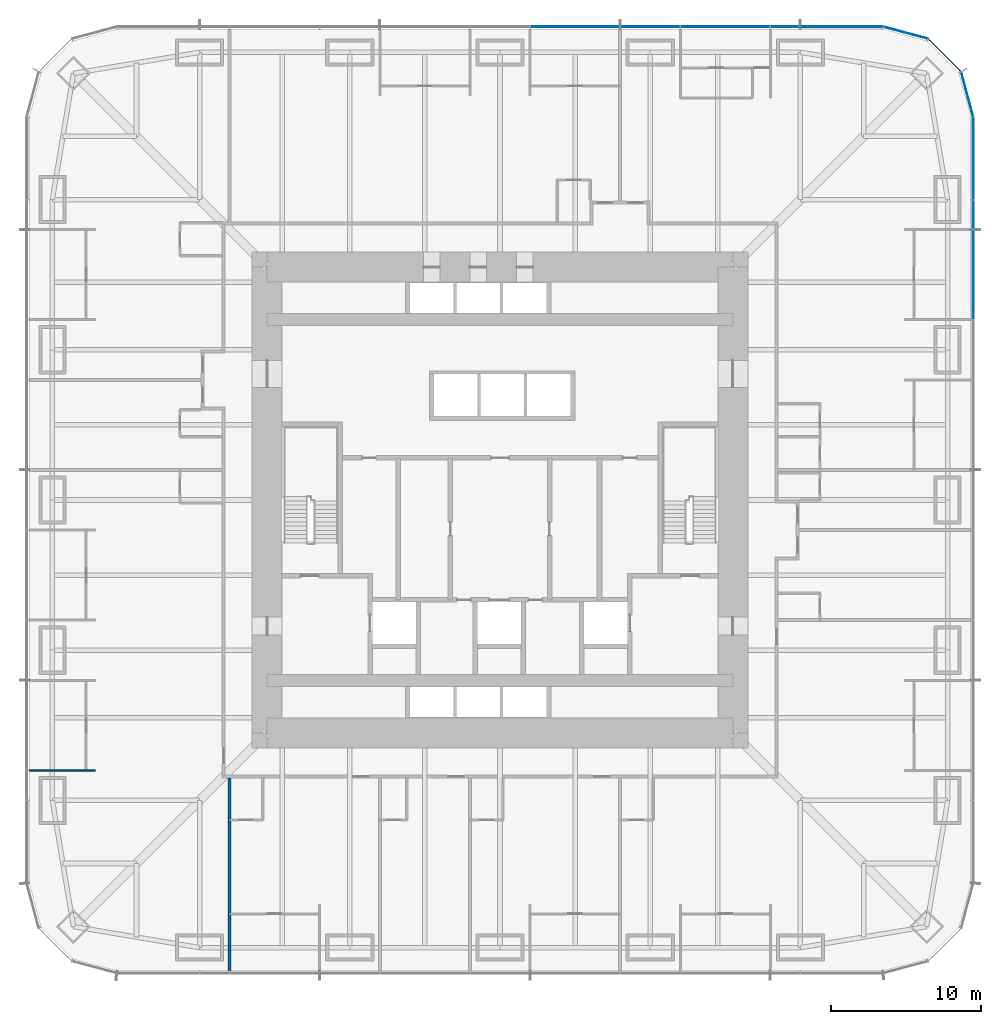
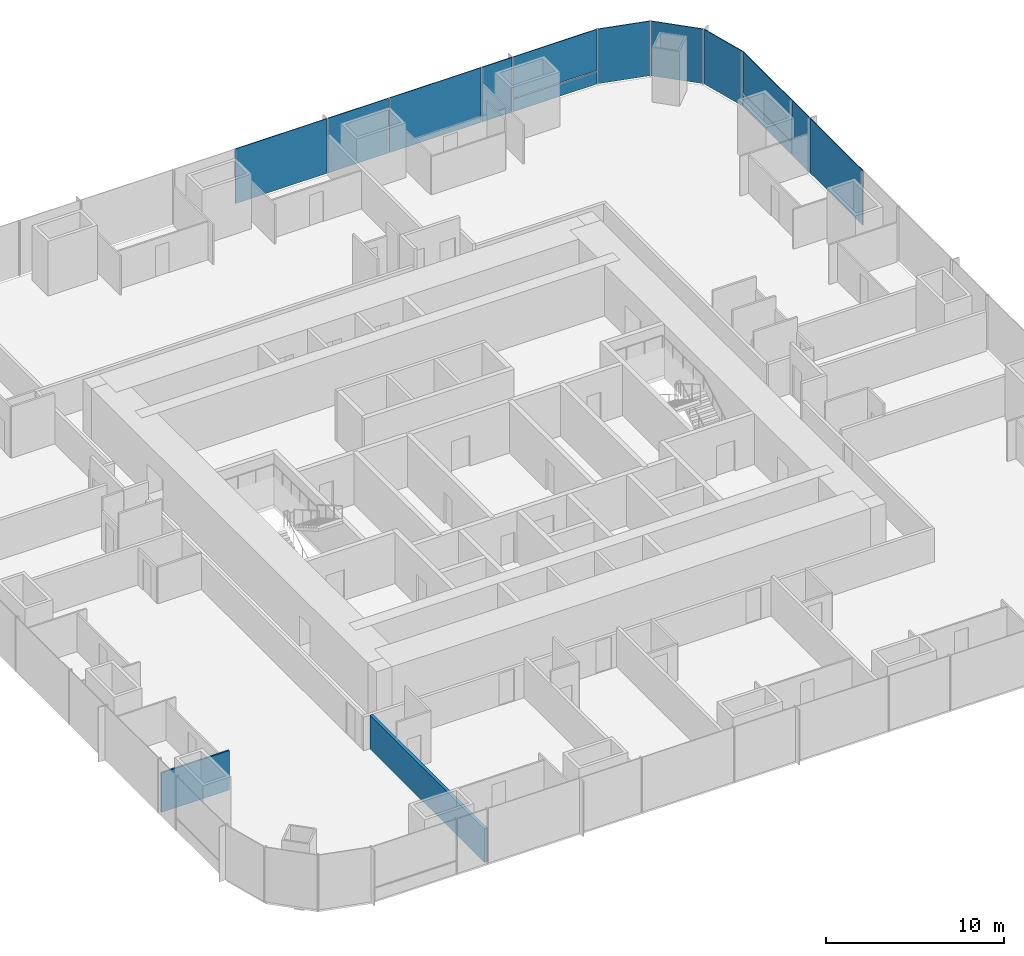
# One storey, part 11 of 16: 13 plates, 2 walls, 3 elements without a shape of their own.
"""IFC4 building model written with IfcOpenShell, lengths in metres."""

from ifc_helpers import new_model, si_unit, direction, frame, frame_2d, origin, origin_2d, place, context, subcontext, project, spatial, rectangle, extrude, material, layer, layer_set, type_object, element, aggregate, save


model = new_model("IFC4")

# Units and contexts
model_context = context("Model", 3, precision=1e-05, world=origin(), true_north=direction((0.0, 1.0)))
body_context = subcontext(model_context, "Body", "Model", "MODEL_VIEW")
ifc_project = project(units=[si_unit("LENGTHUNIT", "METRE"), si_unit("AREAUNIT", "SQUARE_METRE"), si_unit("VOLUMEUNIT", "CUBIC_METRE"), si_unit("PLANEANGLEUNIT", "RADIAN"), si_unit("MASSUNIT", "GRAM", prefix="KILO")], contexts=[model_context])

# Site, building, storey
site_placement = place(None, origin())
site = spatial("IfcSite", under=ifc_project, at=site_placement, CompositionType="ELEMENT")
building_placement = place(site_placement, origin())
building = spatial("IfcBuilding", under=site, at=building_placement, Name="Khuree Lantern Residences", CompositionType="ELEMENT")
storey_placement = place(building_placement, frame((0.0, 0.0, 62.25)))
storey = spatial("IfcBuildingStorey", under=building, at=storey_placement, Name="L15", CompositionType="ELEMENT", Elevation=62.25)

# Curtain wall, plates
ifc_material_1 = material(Name="Bronze anodised aluminium", Category="aluminium")
curtain_wall_type_1 = type_object("IfcCurtainWallType", Name="CW-T2 TOWER CORNER CURTAIN WALL", PredefinedType="USERDEFINED", material=ifc_material_1)
curtain_wall_1_placement = place(storey_placement, origin())
curtain_wall_1 = element("IfcCurtainWall", 1, at=curtain_wall_1_placement, inside=storey, type_object=curtain_wall_type_1, Name="L15 NORTH-EAST CORNER CURTAIN WALL", ObjectType="Faceted corner curtain wall", PredefinedType="USERDEFINED")
ifc_material_2 = material(Name="Bronze tinted triple glazing", Category="glass")
ifc_layer_1 = layer(ifc_material_2, 0.048095703125)
ifc_layer_set_1 = layer_set([ifc_layer_1], Name="FACET PANEL P4")
plate_type_1 = type_object("IfcPlateType", Name="FACET PANEL P4", PredefinedType="CURTAIN_PANEL", material=ifc_layer_set_1)
plate_1_placement = place(storey_placement, frame((31.0986328125, 26.998046875, 0.0), z_axis=(0.0, 0.0, 1.0), x_axis=(-0.258819172081, 0.965925792265, 0.0)))
plate_1 = element("IfcPlate", 2, at=plate_1_placement, type_object=plate_type_1, Name="L15 NORTH-EAST CORNER PANEL 15.1", PredefinedType="CURTAIN_PANEL", context=body_context, shape_type="SweptSolid", body=[
    extrude(rectangle(XDim=3.02978515625, YDim=0.048095703125, at=origin_2d()), origin(), (0.0, 0.0, 1.0), 3.75),
])
plate_2_placement = place(storey_placement, frame((29.59814453125, 29.59814453125, 0.0), z_axis=(0.0, 0.0, 1.0), x_axis=(-0.707106781187, 0.707106781187, 0.0)))
plate_2 = element("IfcPlate", 3, at=plate_2_placement, type_object=plate_type_1, Name="L15 NORTH-EAST CORNER PANEL 16.1", PredefinedType="CURTAIN_PANEL", context=body_context, shape_type="SweptSolid", body=[
    extrude(rectangle(XDim=3.025634765625, YDim=0.048095703125, at=origin_2d()), origin(), (0.0, 0.0, 1.0), 3.75),
])
plate_3_placement = place(storey_placement, frame((26.998046875, 31.0986328125, 0.0), z_axis=(0.0, 0.0, 1.0), x_axis=(-0.965925792265, 0.258819172081, 0.0)))
plate_3 = element("IfcPlate", 4, at=plate_3_placement, type_object=plate_type_1, Name="L15 NORTH-EAST CORNER PANEL 17.1", PredefinedType="CURTAIN_PANEL", context=body_context, shape_type="SweptSolid", body=[
    extrude(rectangle(XDim=3.02978515625, YDim=0.048095703125, at=origin_2d()), origin(), (0.0, 0.0, 1.0), 3.75),
])
aggregate(curtain_wall_1, [plate_1, plate_2, plate_3])

# Curtain wall, plate
curtain_wall_type_2 = type_object("IfcCurtainWallType", Name="CW-T1 TOWER FACE CURTAIN WALL", PredefinedType="USERDEFINED", material=ifc_material_1)
curtain_wall_2_placement = place(storey_placement, origin())
curtain_wall_2 = element("IfcCurtainWall", 5, at=curtain_wall_2_placement, inside=storey, type_object=curtain_wall_type_2, Name="L15 EAST FACE CURTAIN WALL", ObjectType="Stick-built curtain wall", PredefinedType="USERDEFINED")
ifc_material_3 = material(Name="Bronze tinted triple glazing with a ceramic-fritted spandrel band", Category="glass")
ifc_layer_2 = layer(ifc_material_3, 0.048095703125)
ifc_layer_set_2 = layer_set([ifc_layer_2], Name="FIXED LIGHT PANEL P11")
plate_type_2 = type_object("IfcPlateType", Name="FIXED LIGHT PANEL P11", PredefinedType="CURTAIN_PANEL", material=ifc_layer_set_2)
plate_4_placement = place(storey_placement, frame((31.5, 15.0, 0.0), z_axis=(0.0, 0.0, 1.0), x_axis=(0.0, 1.0, 0.0)))
plate_4 = element("IfcPlate", 6, at=plate_4_placement, type_object=plate_type_2, Name="L15 EAST FACE PANEL 12.1", PredefinedType="CURTAIN_PANEL", context=body_context, shape_type="SweptSolid", body=[
    extrude(rectangle(XDim=5.93505859375, YDim=0.048095703125, at=origin_2d()), origin(), (0.0, 0.0, 1.0), 3.75),
])

# Curtain wall, plates
curtain_wall_3_placement = place(storey_placement, origin())
curtain_wall_3 = element("IfcCurtainWall", 7, at=curtain_wall_3_placement, inside=storey, type_object=curtain_wall_type_2, Name="L15 NORTH FACE CURTAIN WALL", ObjectType="Stick-built curtain wall", PredefinedType="USERDEFINED")
plate_5_placement = place(storey_placement, frame((15.0, 31.5, 0.0), z_axis=(0.0, 0.0, 1.0), x_axis=(-1.0, 0.0, 0.0)))
plate_5 = element("IfcPlate", 8, at=plate_5_placement, type_object=plate_type_2, Name="L15 NORTH FACE PANEL 20.1", PredefinedType="CURTAIN_PANEL", context=body_context, shape_type="SweptSolid", body=[
    extrude(rectangle(XDim=5.93505859375, YDim=0.048095703125, at=origin_2d()), origin(), (0.0, 0.0, 1.0), 3.75),
])
plate_6_placement = place(storey_placement, frame((5.0, 31.5, 0.0), z_axis=(0.0, 0.0, 1.0), x_axis=(-1.0, 0.0, 0.0)))
plate_6 = element("IfcPlate", 9, at=plate_6_placement, type_object=plate_type_2, Name="L15 NORTH FACE PANEL 22.1", PredefinedType="CURTAIN_PANEL", context=body_context, shape_type="SweptSolid", body=[
    extrude(rectangle(XDim=5.93505859375, YDim=0.048095703125, at=origin_2d()), origin(), (0.0, 0.0, 1.0), 3.75),
])
ifc_material_4 = material(Name="Bronze tinted triple glazing, two aluminium-framed sashes in one frame", Category="aluminium")
ifc_layer_3 = layer(ifc_material_4, 0.048095703125)
ifc_layer_set_3 = layer_set([ifc_layer_3], Name="SASH PAIR PANEL P12")
plate_type_3 = type_object("IfcPlateType", Name="SASH PAIR PANEL P12", PredefinedType="CURTAIN_PANEL", material=ifc_layer_set_3)
plate_7_placement = place(storey_placement, frame((10.0, 31.5, 0.0), z_axis=(0.0, 0.0, 1.0), x_axis=(-1.0, 0.0, 0.0)))
plate_7 = element("IfcPlate", 10, at=plate_7_placement, type_object=plate_type_3, Name="L15 NORTH FACE PANEL 21.1", PredefinedType="CURTAIN_PANEL", context=body_context, shape_type="SweptSolid", body=[
    extrude(rectangle(XDim=3.93505859375, YDim=0.048095703125, at=origin_2d()), origin(), (0.0, 0.0, 1.0), 3.75),
])

# Plate
ifc_material_5 = material(Name="Bronze tinted triple glazing, aluminium-framed sash", Category="aluminium")
ifc_layer_4 = layer(ifc_material_5, 0.048095703125)
ifc_layer_set_4 = layer_set([ifc_layer_4], Name="SASH PANEL P3")
plate_type_4 = type_object("IfcPlateType", Name="SASH PANEL P3", PredefinedType="CURTAIN_PANEL", material=ifc_layer_set_4)
plate_8_placement = place(storey_placement, frame((31.5, 19.0, 0.0), z_axis=(0.0, 0.0, 1.0), x_axis=(0.0, 1.0, 0.0)))
plate_8 = element("IfcPlate", 11, at=plate_8_placement, type_object=plate_type_4, Name="L15 EAST FACE PANEL 13.1", PredefinedType="CURTAIN_PANEL", context=body_context, shape_type="SweptSolid", body=[
    extrude(rectangle(XDim=1.93505859375, YDim=0.048095703125, at=origin_2d()), origin(), (0.0, 0.0, 1.0), 3.75),
])

plate_9_placement = place(storey_placement, frame((19.0, 31.5, 0.0), z_axis=(0.0, 0.0, 1.0), x_axis=(-1.0, 0.0, 0.0)))
plate_9 = element("IfcPlate", 12, at=plate_9_placement, type_object=plate_type_4, Name="L15 NORTH FACE PANEL 19.1", PredefinedType="CURTAIN_PANEL", context=body_context, shape_type="SweptSolid", body=[
    extrude(rectangle(XDim=1.93505859375, YDim=0.048095703125, at=origin_2d()), origin(), (0.0, 0.0, 1.0), 3.75),
])

ifc_material_6 = material(Name="Bronze anodised aluminium insulated spandrel", Category="aluminium")
ifc_layer_5 = layer(ifc_material_6, 0.06005859375)
ifc_layer_set_5 = layer_set([ifc_layer_5], Name="SPANDREL PANEL P2")
plate_type_5 = type_object("IfcPlateType", Name="SPANDREL PANEL P2", PredefinedType="CURTAIN_PANEL", material=ifc_layer_set_5)
plate_10_placement = place(storey_placement, frame((31.5, 22.747802734375, 0.0), z_axis=(0.0, 0.0, 1.0), x_axis=(0.0, 1.0, 0.0)))
plate_10 = element("IfcPlate", 13, at=plate_10_placement, type_object=plate_type_5, Name="L15 EAST FACE PANEL 14.1", PredefinedType="CURTAIN_PANEL", context=body_context, shape_type="SweptSolid", body=[
    extrude(rectangle(XDim=5.4306640625, YDim=0.06005859375, at=origin_2d()), origin(), (0.0, 0.0, 1.0), 0.867431640625),
])

plate_11_placement = place(storey_placement, frame((22.747802734375, 31.5, 0.0), z_axis=(0.0, 0.0, 1.0), x_axis=(-1.0, 0.0, 0.0)))
plate_11 = element("IfcPlate", 14, at=plate_11_placement, type_object=plate_type_5, Name="L15 NORTH FACE PANEL 18.1", PredefinedType="CURTAIN_PANEL", context=body_context, shape_type="SweptSolid", body=[
    extrude(rectangle(XDim=5.4306640625, YDim=0.06005859375, at=origin_2d()), origin(), (0.0, 0.0, 1.0), 0.867431640625),
])

ifc_layer_6 = layer(ifc_material_2, 0.048095703125)
ifc_layer_set_6 = layer_set([ifc_layer_6], Name="VISION PANEL P1")
plate_type_6 = type_object("IfcPlateType", Name="VISION PANEL P1", PredefinedType="CURTAIN_PANEL", material=ifc_layer_set_6)
plate_12_placement = place(storey_placement, frame((31.5, 22.748291015625, 0.9326171875), z_axis=(0.0, 0.0, 1.0), x_axis=(0.0, 1.0, 0.0)))
plate_12 = element("IfcPlate", 15, at=plate_12_placement, type_object=plate_type_6, Name="L15 EAST FACE PANEL 14.2", PredefinedType="CURTAIN_PANEL", context=body_context, shape_type="SweptSolid", body=[
    extrude(rectangle(XDim=5.431640625, YDim=0.048095703125, at=origin_2d()), origin(), (0.0, 0.0, 1.0), 2.8173828125),
])

aggregate(curtain_wall_2, [plate_4, plate_8, plate_10, plate_12])

plate_13_placement = place(storey_placement, frame((22.748291015625, 31.5, 0.9326171875), z_axis=(0.0, 0.0, 1.0), x_axis=(-1.0, 0.0, 0.0)))
plate_13 = element("IfcPlate", 16, at=plate_13_placement, type_object=plate_type_6, Name="L15 NORTH FACE PANEL 18.2", PredefinedType="CURTAIN_PANEL", context=body_context, shape_type="SweptSolid", body=[
    extrude(rectangle(XDim=5.431640625, YDim=0.048095703125, at=origin_2d()), origin(), (0.0, 0.0, 1.0), 2.8173828125),
])

aggregate(curtain_wall_3, [plate_11, plate_13, plate_9, plate_5, plate_7, plate_6])

# Walls
ifc_material_7 = material(Name="Gypsum board on steel studs", Category="steel")
ifc_layer_7 = layer(ifc_material_7, 0.199951171875)
ifc_layer_set_7 = layer_set([ifc_layer_7], Name="DEMISING WALL DMW200 EI 90")
wall_type_1 = type_object("IfcWallType", Name="DEMISING WALL DMW200 EI 90", PredefinedType="PARTITIONING", material=ifc_layer_set_7)
wall_1_placement = place(storey_placement, frame((-18.0, -18.5, 0.0), z_axis=(0.0, 0.0, 1.0), x_axis=(0.0, -1.0, 0.0)))
element("IfcWall", 17, at=wall_1_placement, inside=storey, type_object=wall_type_1, Name="L15 DEMISING WALL 08", PredefinedType="PARTITIONING", context=body_context, shape_type="SweptSolid", body=[
    extrude(rectangle(XDim=12.85009765625, YDim=0.199951171875, at=frame_2d((6.425048828125, 0.0))), origin(), (0.0, 0.0, 1.0), 2.300048828125),
])
ifc_layer_8 = layer(ifc_material_7, 0.10009765625)
ifc_layer_set_8 = layer_set([ifc_layer_8], Name="PARTITION PT100")
wall_type_2 = type_object("IfcWallType", Name="PARTITION PT100", PredefinedType="PARTITIONING", material=ifc_layer_set_8)
wall_2_placement = place(storey_placement, frame((-26.949951171875, -18.0, 0.0), z_axis=(0.0, 0.0, 1.0), x_axis=(-1.0, 0.0, 0.0)))
element("IfcWall", 18, at=wall_2_placement, inside=storey, type_object=wall_type_2, Name="L15 PARTITION 07", PredefinedType="PARTITIONING", context=body_context, shape_type="SweptSolid", body=[
    extrude(rectangle(XDim=4.400146484375, YDim=0.10009765625, at=frame_2d((2.2001953125, 0.0))), origin(), (0.0, 0.0, 1.0), 2.7099609375),
])

save(model, "model.ifc")
